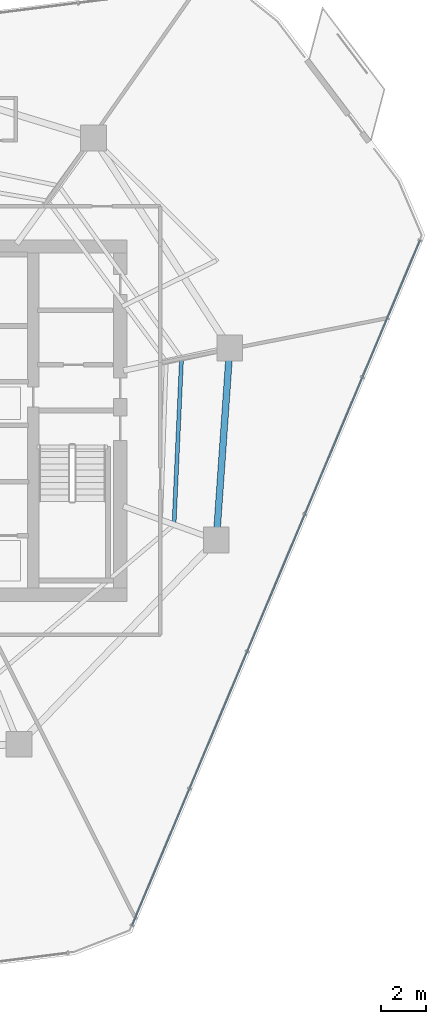
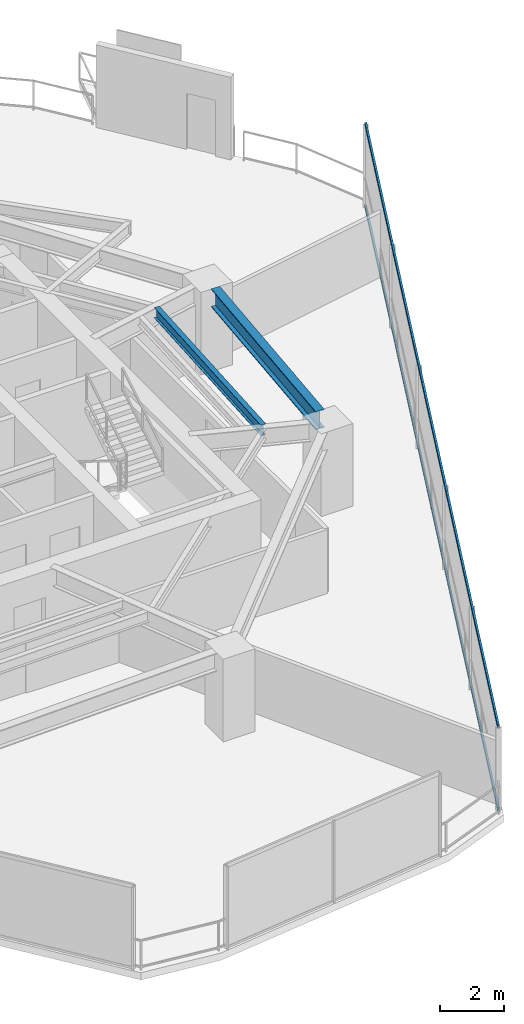
# One storey, part 13 of 30: 2 beams, 2 members, 1 element without a shape of its own.
"""IFC4 building model written with IfcOpenShell, lengths in metres."""

import ifcopenshell
import ifcopenshell.guid

model = None  # the IFC model being written
_history = None  # IfcOwnerHistory: only IFC2X3 demands one
_inside = {}  # id of a spatial element -> (the spatial element, [elements in it])
_under = {}  # id of a project, library or spatial element -> (it, [spatial elements below it])
_declared = {}  # id of a project -> (the project, [libraries it declares])
_typed = {}  # id of a type object -> (the type object, [elements of that type])
_made_of = {}  # id of a material, layer set ... -> (it, [elements and type objects made of it])


def new_model(schema):
    """Start an empty IFC model of exactly this schema.

    Asked for "IFC4X3", IfcOpenShell would pick the latest addendum, in which some entities
    have other attributes; the version numbers below select the first issue.
    IFC2X3 requires an IfcOwnerHistory on every rooted entity: one is made here for all.
    """
    global model, _history
    if schema == "IFC4X3":
        model = ifcopenshell.file(schema_version=(4, 3, 0, 0))
    else:
        model = ifcopenshell.file(schema=schema)
    _inside.clear()
    _under.clear()
    _declared.clear()
    _typed.clear()
    _made_of.clear()
    _history = None
    if model.schema == "IFC2X3":
        org = make("IfcOrganization", Name="unknown")
        user = make(
            "IfcPersonAndOrganization",
            ThePerson=make("IfcPerson", FamilyName="unknown"),
            TheOrganization=org,
        )
        app = make(
            "IfcApplication",
            ApplicationDeveloper=org,
            Version="unknown",
            ApplicationFullName="unknown",
            ApplicationIdentifier="unknown",
        )
        _history = make(
            "IfcOwnerHistory",
            OwningUser=user,
            OwningApplication=app,
            ChangeAction="ADDED",
            CreationDate=0,
        )
    return model


def make(cls, **values):
    """One entity of the class cls with the attributes given. An attribute that is None is left unset."""
    return model.create_entity(
        cls, **{name: value for name, value in values.items() if value is not None}
    )


def rooted(cls, **values):
    """An entity with a GlobalId (a new one), such as an element, a storey or a relation."""
    return make(cls, GlobalId=ifcopenshell.guid.new(), OwnerHistory=_history, **values)


def si_unit(unit_type, name, prefix=None):
    """IfcSIUnit, for example si_unit("LENGTHUNIT", "METRE", prefix="MILLI")."""
    return make("IfcSIUnit", UnitType=unit_type, Prefix=prefix, Name=name)


def assignment(units):
    """IfcUnitAssignment: the units of a project."""
    return None if units is None else make("IfcUnitAssignment", Units=units)


def point(xyz):
    """IfcCartesianPoint."""
    return None if xyz is None else make("IfcCartesianPoint", Coordinates=xyz)


def direction(xyz):
    """IfcDirection."""
    return None if xyz is None else make("IfcDirection", DirectionRatios=xyz)


def frame(location, z_axis=None, x_axis=None):
    """IfcAxis2Placement3D, a coordinate frame: its origin and axes. An axis left out is left unset."""
    return make(
        "IfcAxis2Placement3D",
        Location=point(location),
        Axis=direction(z_axis),
        RefDirection=direction(x_axis),
    )


def frame_2d(location, x_axis=None):
    """IfcAxis2Placement2D, a coordinate frame in the plane: its origin and x axis."""
    return make(
        "IfcAxis2Placement2D", Location=point(location), RefDirection=direction(x_axis)
    )


def origin():
    """The frame at (0, 0, 0) with its axes left unset."""
    return frame((0.0, 0.0, 0.0))


def origin_2d():
    """The frame at (0, 0) in the plane with its x axis left unset."""
    return frame_2d((0.0, 0.0))


def place(relative_to, where):
    """IfcLocalPlacement: puts the frame where relative to a parent placement (None: the world)."""
    return make(
        "IfcLocalPlacement", PlacementRelTo=relative_to, RelativePlacement=where
    )


def context(
    kind, dimensions, precision=None, world=None, true_north=None, identifier=None
):
    """IfcGeometricRepresentationContext, for example the 3D "Model" context."""
    return make(
        "IfcGeometricRepresentationContext",
        ContextIdentifier=identifier,
        ContextType=kind,
        CoordinateSpaceDimension=dimensions,
        Precision=precision,
        WorldCoordinateSystem=world,
        TrueNorth=true_north,
    )


def subcontext(parent, identifier, kind, view, scale=None):
    """IfcGeometricRepresentationSubContext, for example "Body" below "Model"."""
    return make(
        "IfcGeometricRepresentationSubContext",
        ContextIdentifier=identifier,
        ContextType=kind,
        ParentContext=parent,
        TargetScale=scale,
        TargetView=view,
    )


def project(units=None, contexts=None):
    """IfcProject with its units and contexts."""
    return rooted(
        "IfcProject",
        Name="project",
        RepresentationContexts=contexts,
        UnitsInContext=assignment(units),
    )


def spatial(cls, under=None, at=None, **own):
    """A site, building, storey or space (cls), placed at a placement, below another one or the project."""
    s = rooted(cls, ObjectPlacement=at, **own)
    if under is not None:
        _under.setdefault(under.id(), (under, []))[1].append(s)
    return s


def profile(cls, at=None, kind="AREA", **sizes):
    """A parametric profile (cls). Its sizes go by their IFC names, for example OverallWidth=200.0."""
    return make(cls, ProfileType=kind, Position=at, **sizes)


def hollow_rectangle(**sizes):
    """IfcRectangleHollowProfileDef."""
    return profile("IfcRectangleHollowProfileDef", **sizes)


def i_section(**sizes):
    """IfcIShapeProfileDef."""
    return profile("IfcIShapeProfileDef", **sizes)


def extrude(swept, where, along, depth):
    """IfcExtrudedAreaSolid: the profile swept, set in the frame where, extruded along a direction by depth."""
    return make(
        "IfcExtrudedAreaSolid",
        SweptArea=swept,
        Position=where,
        ExtrudedDirection=direction(along),
        Depth=depth,
    )


def shape(context_of_items, identifier, shape_type, items):
    """IfcShapeRepresentation: the items that make up one representation, for example the "Body"."""
    return make(
        "IfcShapeRepresentation",
        ContextOfItems=context_of_items,
        RepresentationIdentifier=identifier,
        RepresentationType=shape_type,
        Items=items,
    )


def material(Name=None, Category=None):
    """IfcMaterial."""
    return make("IfcMaterial", Name=Name, Category=Category)


def layer(
    of_material, thickness, ventilated=None, Name=None, Category=None, Priority=None
):
    """IfcMaterialLayer: one layer of a wall or slab, of a material (None: an air gap)."""
    return make(
        "IfcMaterialLayer",
        Material=of_material,
        LayerThickness=thickness,
        IsVentilated=ventilated,
        Name=Name,
        Category=Category,
        Priority=Priority,
    )


def layer_set(layers, Name=None):
    """IfcMaterialLayerSet."""
    return make("IfcMaterialLayerSet", MaterialLayers=layers, LayerSetName=Name)


def material_profile(
    of_material, cross_section, Name=None, Category=None, Priority=None
):
    """IfcMaterialProfile: a cross section and its material."""
    return make(
        "IfcMaterialProfile",
        Name=Name,
        Material=of_material,
        Profile=cross_section,
        Priority=Priority,
        Category=Category,
    )


def profile_set(profiles, Name=None, composite=None):
    """IfcMaterialProfileSet."""
    return make(
        "IfcMaterialProfileSet",
        Name=Name,
        MaterialProfiles=profiles,
        CompositeProfile=composite,
    )


def made_of(thing, what):
    """Note that an element or type object is made of a material, layer set ...; save() writes the relation."""
    if what is not None:
        _made_of.setdefault(what.id(), (what, []))[1].append(thing)
    return thing


def type_object(cls, material=None, **own):
    """A type object (cls), such as IfcWallType, which elements share."""
    return made_of(rooted(cls, **own), material)


def element(
    cls,
    number,
    at=None,
    inside=None,
    cuts=None,
    type_object=None,
    material=None,
    context=None,
    identifier="Body",
    shape_type=None,
    held_by="IfcProductDefinitionShape",
    body=None,
    shapes=None,
    **own,
):
    """One element of the class cls, such as IfcWall. Its Tag is "e" and its number.

    at: its placement. inside: the storey or other place that contains it. cuts: it is an
    opening in that element (IfcRelVoidsElement). A single representation is given by context,
    identifier, shape_type and body (its items); several are given by shapes. held_by: the class
    of the entity that holds the representations. save() writes the other relations.
    """
    e = rooted(cls, Tag="e%d" % number, ObjectPlacement=at, **own)
    if body is not None:
        shapes = [shape(context, identifier, shape_type, body)]
    if shapes is not None:
        e.Representation = make(held_by, Representations=shapes)
    if inside is not None:
        _inside.setdefault(inside.id(), (inside, []))[1].append(e)
    if cuts is not None:
        rooted(
            "IfcRelVoidsElement", RelatingBuildingElement=cuts, RelatedOpeningElement=e
        )
    if type_object is not None:
        _typed.setdefault(type_object.id(), (type_object, []))[1].append(e)
    return made_of(e, material)


def aggregate(whole, parts):
    """IfcRelAggregates: a whole, such as a stair, and the parts it consists of."""
    return rooted("IfcRelAggregates", RelatingObject=whole, RelatedObjects=parts)


def save(model, path):
    """Write the relations noted so far, then the file.

    IfcRelAggregates (storeys below a building ...), IfcRelContainedInSpatialStructure (elements
    in a storey), IfcRelDefinesByType, IfcRelAssociatesMaterial and IfcRelDeclares: one each for
    every whole, place, type object, material and project.
    """
    for whole, parts in _under.values():
        aggregate(whole, parts)
    for where, things in _inside.values():
        rooted(
            "IfcRelContainedInSpatialStructure",
            RelatedElements=things,
            RelatingStructure=where,
        )
    for kind, things in _typed.values():
        rooted("IfcRelDefinesByType", RelatedObjects=things, RelatingType=kind)
    for what, things in _made_of.values():
        rooted("IfcRelAssociatesMaterial", RelatedObjects=things, RelatingMaterial=what)
    for by, libraries in _declared.values():
        rooted("IfcRelDeclares", RelatingContext=by, RelatedDefinitions=libraries)
    model.write(path)


model = new_model("IFC4")

# Units and contexts
model_context = context("Model", 3, precision=1e-05, world=origin(), true_north=direction((0.0, 1.0)))
body_context = subcontext(model_context, "Body", "Model", "MODEL_VIEW")
ifc_project = project(units=[si_unit("LENGTHUNIT", "METRE"), si_unit("AREAUNIT", "SQUARE_METRE"), si_unit("VOLUMEUNIT", "CUBIC_METRE"), si_unit("PLANEANGLEUNIT", "RADIAN"), si_unit("MASSUNIT", "GRAM", prefix="KILO")], contexts=[model_context])

# Site, building, storey
site_placement = place(None, origin())
site = spatial("IfcSite", under=ifc_project, at=site_placement, CompositionType="ELEMENT")
building_placement = place(site_placement, origin())
building = spatial("IfcBuilding", under=site, at=building_placement, Name="Qarnah Convention Tower", CompositionType="ELEMENT")
storey_placement = place(building_placement, frame((0.0, 0.0, 93.60009765625)))
storey = spatial("IfcBuildingStorey", under=building, at=storey_placement, Name="L24", CompositionType="ELEMENT", Elevation=93.60009765625)

# Beams
ifc_material_1 = material(Name="Structural steel S355JR", Category="steel")
ifc_material_profile_1 = material_profile(ifc_material_1, i_section(OverallWidth=0.177978515625, OverallDepth=0.407958984375, WebThickness=0.008056640625, FlangeThickness=0.012939453125, at=origin_2d()), Name="W410X60")
ifc_profile_set_1 = profile_set([ifc_material_profile_1], Name="Structural steel S355JR")
beam_type_1 = type_object("IfcBeamType", Name="BM-JST-W410", PredefinedType="JOIST", material=ifc_profile_set_1)
beam_1_placement = place(storey_placement, frame((50.014892578125, 21.825927734375, 2.9658203125), z_axis=(0.045166002341, 0.998979495401, 0.0), x_axis=(-0.998979495401, 0.045166002341, 0.0)))
element("IfcBeam", 1, at=beam_1_placement, inside=storey, type_object=beam_type_1, Name="L24 joist BM-L24-SJST-09", PredefinedType="JOIST", context=body_context, shape_type="SweptSolid", body=[
    extrude(i_section(OverallWidth=0.177978515625, OverallDepth=0.407958984375, WebThickness=0.008056640625, FlangeThickness=0.012939453125, at=origin_2d()), origin(), (0.0, 0.0, 1.0), 7.286376953125),
])
ifc_material_profile_2 = material_profile(ifc_material_1, i_section(OverallWidth=0.300048828125, OverallDepth=0.699951171875, WebThickness=0.01708984375, FlangeThickness=0.031982421875, at=origin_2d()), Name="HEB700")
ifc_profile_set_2 = profile_set([ifc_material_profile_2], Name="Structural steel S355JR")
beam_type_2 = type_object("IfcBeamType", Name="BM-RING-HEB700", PredefinedType="BEAM", material=ifc_profile_set_2)
beam_2_placement = place(storey_placement, frame((51.945068359375, 21.611083984375, 2.81982421875), z_axis=(0.069881623509, 0.997555291047, 0.0), x_axis=(-0.997555291047, 0.069881623509, 0.0)))
element("IfcBeam", 2, at=beam_2_placement, inside=storey, type_object=beam_type_2, Name="L24 beam BM-L24-SPN-09", PredefinedType="BEAM", context=body_context, shape_type="SweptSolid", body=[
    extrude(i_section(OverallWidth=0.300048828125, OverallDepth=0.699951171875, WebThickness=0.01708984375, FlangeThickness=0.031982421875, at=origin_2d()), origin(), (0.0, 0.0, 1.0), 7.497314453125),
])

# Curtain wall, members
ifc_material_2 = material(Name="Tempered Low-E dark glass", Category="glass")
ifc_layer = layer(ifc_material_2, 0.169921875)
ifc_layer_set = layer_set([ifc_layer], Name="Tempered Low-E dark glass")
curtain_wall_type = type_object("IfcCurtainWallType", Name="CWS-02", PredefinedType="NOTDEFINED", material=ifc_layer_set)
curtain_wall_placement = place(storey_placement, origin())
curtain_wall = element("IfcCurtainWall", 3, at=curtain_wall_placement, inside=storey, type_object=curtain_wall_type, Name="L24 unitised curtain wall CW-L24-F3", PredefinedType="NOTDEFINED")
ifc_material_3 = material(Name="Black anodised aluminium", Category="aluminium")
ifc_material_profile_3 = material_profile(ifc_material_3, hollow_rectangle(XDim=0.06494140625, YDim=0.14990234375, WallThickness=0.00390625, at=origin_2d()), Name="TRN-65X150")
ifc_profile_set_3 = profile_set([ifc_material_profile_3], Name="Black anodised aluminium")
member_type = type_object("IfcMemberType", Name="TRN-T2", PredefinedType="USERDEFINED", material=ifc_profile_set_3)
member_1_placement = place(storey_placement, frame((61.033935546875, 34.47607421875, 0.0), z_axis=(-0.387505393471, -0.921867436257, 0.0), x_axis=(0.921867436257, -0.387505393471, 0.0)))
member_1 = element("IfcMember", 4, at=member_1_placement, type_object=member_type, Name="CW-L24-F3 transom 1", ObjectType="TRANSOM", PredefinedType="USERDEFINED", context=body_context, shape_type="SweptSolid", body=[
    extrude(hollow_rectangle(XDim=0.06494140625, YDim=0.14990234375, WallThickness=0.00390625, at=origin_2d()), origin(), (0.0, 0.0, 1.0), 33.305419921875),
])
member_2_placement = place(storey_placement, frame((61.033935546875, 34.47607421875, 3.169921875), z_axis=(-0.387505393471, -0.921867436257, 0.0), x_axis=(0.921867436257, -0.387505393471, 0.0)))
member_2 = element("IfcMember", 5, at=member_2_placement, type_object=member_type, Name="CW-L24-F3 transom 2", ObjectType="TRANSOM", PredefinedType="USERDEFINED", context=body_context, shape_type="SweptSolid", body=[
    extrude(hollow_rectangle(XDim=0.06494140625, YDim=0.14990234375, WallThickness=0.00390625, at=origin_2d()), origin(), (0.0, 0.0, 1.0), 33.305419921875),
])
aggregate(curtain_wall, [member_1, member_2])

save(model, "model.ifc")
